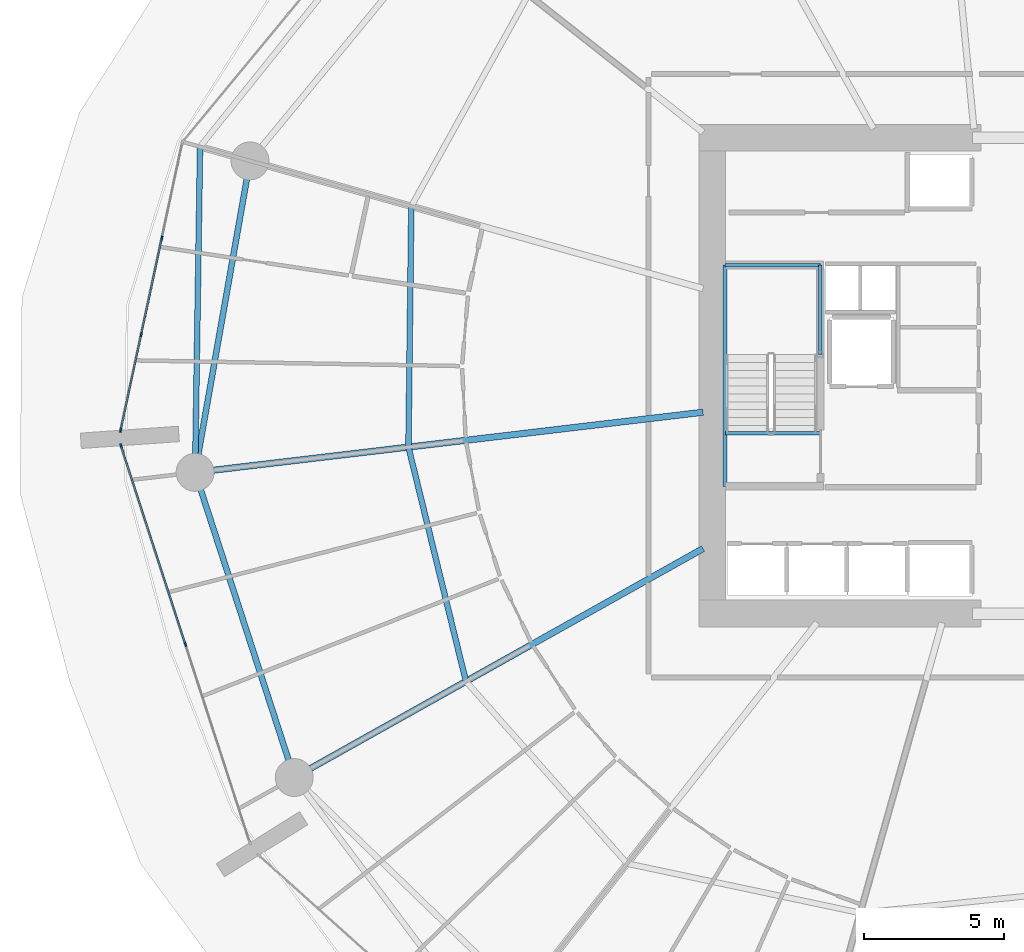
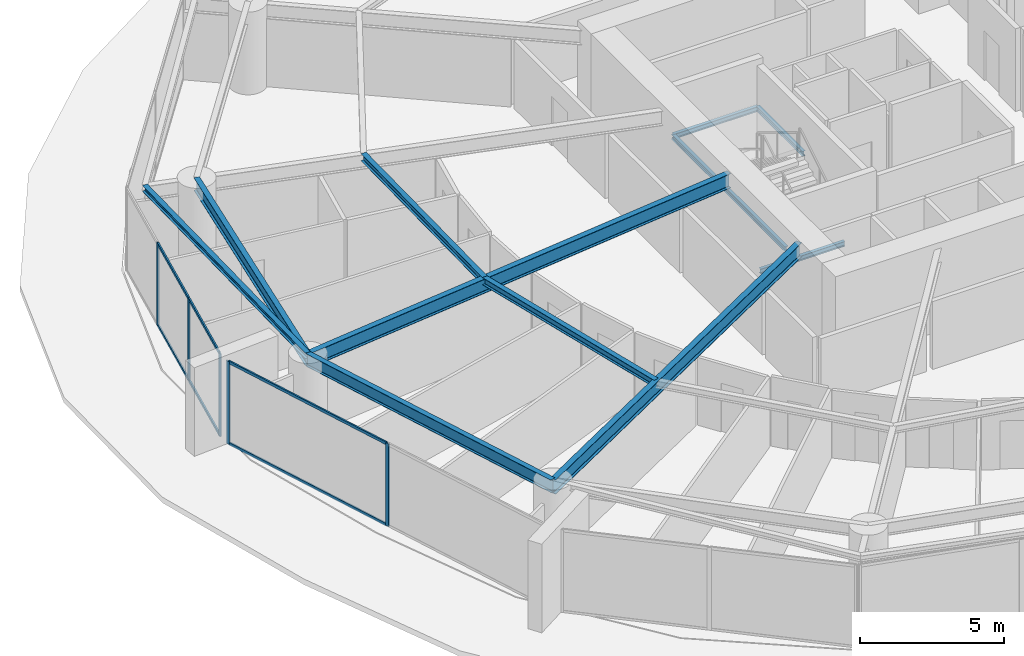
# One storey, part 7 of 22: 11 beams, 11 members, 2 elements without a shape of their own.
"""IFC4 building model written with IfcOpenShell, lengths in metres."""

from ifc_helpers import new_model, si_unit, direction, frame, origin, origin_2d, place, context, subcontext, project, spatial, rectangle, i_section, extrude, material, layer, layer_set, material_profile, profile_set, type_object, element, aggregate, save


model = new_model("IFC4")

# Units and contexts
model_context = context("Model", 3, precision=1e-05, world=origin(), true_north=direction((0.0, 1.0)))
body_context = subcontext(model_context, "Body", "Model", "MODEL_VIEW")
ifc_project = project(units=[si_unit("LENGTHUNIT", "METRE"), si_unit("AREAUNIT", "SQUARE_METRE"), si_unit("VOLUMEUNIT", "CUBIC_METRE"), si_unit("PLANEANGLEUNIT", "RADIAN"), si_unit("MASSUNIT", "GRAM", prefix="KILO")], contexts=[model_context])

# Site, building, storey
site_placement = place(None, origin())
site = spatial("IfcSite", under=ifc_project, at=site_placement, CompositionType="ELEMENT")
building_placement = place(site_placement, origin())
building = spatial("IfcBuilding", under=site, at=building_placement, Name="Kazma Halo Residences", CompositionType="ELEMENT")
storey_placement = place(building_placement, frame((0.0, 0.0, 26.39990234375)))
storey = spatial("IfcBuildingStorey", under=building, at=storey_placement, Name="L05", CompositionType="ELEMENT", Elevation=26.39990234375)

# Beams
ifc_material_1 = material(Name="Steel S355", Category="steel")
ifc_material_profile_1 = material_profile(ifc_material_1, i_section(OverallWidth=0.201904296875, OverallDepth=0.2470703125, WebThickness=0.00732421875, FlangeThickness=0.010986328125, FilletRadius=0.011962890625, at=origin_2d()), Name="W250x49.1")
ifc_profile_set_1 = profile_set([ifc_material_profile_1], Name="Steel S355")
beam_type_1 = type_object("IfcBeamType", Name="BM-BAL-CANT", PredefinedType="BEAM", material=ifc_profile_set_1)
beam_1_placement = place(storey_placement, frame((19.07861328125, 50.15673828125, 3.376708984375), z_axis=(-0.015213846033, -0.999884262747, 0.0), x_axis=(0.999884262747, -0.015213846033, 0.0)))
element("IfcBeam", 1, at=beam_1_placement, inside=storey, type_object=beam_type_1, Name="L05 wave-balcony tie beam 07", PredefinedType="BEAM", context=body_context, shape_type="SweptSolid", body=[
    extrude(i_section(OverallWidth=0.201904296875, OverallDepth=0.2470703125, WebThickness=0.00732421875, FlangeThickness=0.010986328125, FilletRadius=0.011962890625, at=origin_2d()), origin(), (0.0, 0.0, 1.0), 11.602294921875),
])
ifc_material_profile_2 = material_profile(ifc_material_1, i_section(OverallWidth=0.22802734375, OverallDepth=0.60791015625, WebThickness=0.01123046875, FlangeThickness=0.017333984375, FilletRadius=0.01806640625, at=origin_2d()), Name="W610x113")
ifc_profile_set_2 = profile_set([ifc_material_profile_2], Name="Steel S355")
beam_type_2 = type_object("IfcBeamType", Name="BM-RAD-W610", PredefinedType="BEAM", material=ifc_profile_set_2)
beam_2_placement = place(storey_placement, frame((37.0, 40.697998046875, 3.196044921875), z_axis=(-0.993068058728, -0.117540762013, 0.0), x_axis=(0.117540762013, -0.993068058728, 0.0)))
element("IfcBeam", 2, at=beam_2_placement, inside=storey, type_object=beam_type_2, Name="L05 radial floor beam 08", PredefinedType="BEAM", context=body_context, shape_type="SweptSolid", body=[
    extrude(i_section(OverallWidth=0.22802734375, OverallDepth=0.60791015625, WebThickness=0.01123046875, FlangeThickness=0.017333984375, FilletRadius=0.01806640625, at=origin_2d()), origin(), (0.0, 0.0, 1.0), 18.22412109375),
])
beam_3_placement = place(storey_placement, frame((37.0, 35.839599609375, 3.196044921875), z_axis=(-0.872496538947, -0.488620291767, 0.0), x_axis=(0.488620291767, -0.872496538947, 0.0)))
element("IfcBeam", 3, at=beam_3_placement, inside=storey, type_object=beam_type_2, Name="L05 radial floor beam 09", PredefinedType="BEAM", context=body_context, shape_type="SweptSolid", body=[
    extrude(i_section(OverallWidth=0.22802734375, OverallDepth=0.60791015625, WebThickness=0.01123046875, FlangeThickness=0.017333984375, FilletRadius=0.01806640625, at=origin_2d()), origin(), (0.0, 0.0, 1.0), 16.693359375),
])
ifc_material_profile_3 = material_profile(ifc_material_1, i_section(OverallWidth=0.202880859375, OverallDepth=0.302978515625, WebThickness=0.007568359375, FlangeThickness=0.01318359375, FilletRadius=0.013916015625, at=origin_2d()), Name="W310x60")
ifc_profile_set_3 = profile_set([ifc_material_profile_3], Name="Steel S355")
beam_type_3 = type_object("IfcBeamType", Name="BM-SEC-W310A", PredefinedType="JOIST", material=ifc_profile_set_3)
beam_4_placement = place(storey_placement, frame((26.605712890625, 48.033935546875, 3.3486328125), z_axis=(-0.011952697998, -0.999928563954, 0.0), x_axis=(0.999928563954, -0.011952697998, 0.0)))
element("IfcBeam", 4, at=beam_4_placement, inside=storey, type_object=beam_type_3, Name="L05 circumferential floor joist 07", PredefinedType="JOIST", context=body_context, shape_type="SweptSolid", body=[
    extrude(i_section(OverallWidth=0.202880859375, OverallDepth=0.302978515625, WebThickness=0.007568359375, FlangeThickness=0.01318359375, FilletRadius=0.013916015625, at=origin_2d()), origin(), (0.0, 0.0, 1.0), 8.578857421875),
])
beam_5_placement = place(storey_placement, frame((26.503173828125, 39.455810546875, 3.3486328125), z_axis=(0.238409585139, -0.971164697523, 0.0), x_axis=(0.971164697523, 0.238409585139, 0.0)))
element("IfcBeam", 5, at=beam_5_placement, inside=storey, type_object=beam_type_3, Name="L05 circumferential floor joist 08", PredefinedType="JOIST", context=body_context, shape_type="SweptSolid", body=[
    extrude(i_section(OverallWidth=0.202880859375, OverallDepth=0.302978515625, WebThickness=0.007568359375, FlangeThickness=0.01318359375, FilletRadius=0.013916015625, at=origin_2d()), origin(), (0.0, 0.0, 1.0), 8.5947265625),
])
ifc_material_profile_4 = material_profile(ifc_material_1, i_section(OverallWidth=0.208984375, OverallDepth=0.532958984375, WebThickness=0.01025390625, FlangeThickness=0.015625, FilletRadius=0.01611328125, at=origin_2d()), Name="W530x92")
ifc_profile_set_4 = profile_set([ifc_material_profile_4], Name="Steel S355")
beam_type_4 = type_object("IfcBeamType", Name="BM-SPN-W530", PredefinedType="BEAM", material=ifc_profile_set_4)
beam_6_placement = place(storey_placement, frame((20.859130859375, 49.654541015625, 3.233642578125), z_axis=(-0.173651864005, -0.984807103004, 0.0), x_axis=(0.984807103004, -0.173651864005, 0.0)))
element("IfcBeam", 6, at=beam_6_placement, inside=storey, type_object=beam_type_4, Name="L05 perimeter ring beam 07", PredefinedType="BEAM", context=body_context, shape_type="SweptSolid", body=[
    extrude(i_section(OverallWidth=0.208984375, OverallDepth=0.532958984375, WebThickness=0.01025390625, FlangeThickness=0.015625, FilletRadius=0.01611328125, at=origin_2d()), origin(), (0.0, 0.0, 1.0), 11.269775390625),
])
beam_7_placement = place(storey_placement, frame((18.902099609375, 38.555908203125, 3.233642578125), z_axis=(0.309024264898, -0.951054153928, 0.0), x_axis=(0.951054153928, 0.309024264898, 0.0)))
element("IfcBeam", 7, at=beam_7_placement, inside=storey, type_object=beam_type_4, Name="L05 perimeter ring beam 08", PredefinedType="BEAM", context=body_context, shape_type="SweptSolid", body=[
    extrude(i_section(OverallWidth=0.208984375, OverallDepth=0.532958984375, WebThickness=0.01025390625, FlangeThickness=0.015625, FilletRadius=0.01611328125, at=origin_2d()), origin(), (0.0, 0.0, 1.0), 11.4326171875),
])
ifc_material_profile_5 = material_profile(ifc_material_1, i_section(OverallWidth=0.133056640625, OverallDepth=0.20703125, WebThickness=0.005859375, FlangeThickness=0.00830078125, FilletRadius=0.010009765625, at=origin_2d()), Name="W200x26.6")
ifc_profile_set_5 = profile_set([ifc_material_profile_5], Name="Steel S355")
beam_type_5 = type_object("IfcBeamType", Name="BM-TRIM-W200", PredefinedType="BEAM", material=ifc_profile_set_5)
beam_8_placement = place(storey_placement, frame((37.800048828125, 39.949951171875, -0.510009765625), z_axis=(1.0, 0.0, 0.0), x_axis=(0.0, 1.0, 0.0)))
element("IfcBeam", 8, at=beam_8_placement, inside=storey, type_object=beam_type_5, Name="L05 ST-01 floor landing support beam", PredefinedType="BEAM", context=body_context, shape_type="SweptSolid", body=[
    extrude(i_section(OverallWidth=0.133056640625, OverallDepth=0.20703125, WebThickness=0.005859375, FlangeThickness=0.00830078125, FilletRadius=0.010009765625, at=origin_2d()), origin(), (0.0, 0.0, 1.0), 3.3798828125),
])
beam_9_placement = place(storey_placement, frame((37.780029296875, 38.06005859375, 1.570068359375), z_axis=(0.0, 1.0, 0.0), x_axis=(-1.0, 0.0, 0.0)))
element("IfcBeam", 9, at=beam_9_placement, inside=storey, type_object=beam_type_5, Name="L05 ST-01 landing west wall ledger", PredefinedType="BEAM", context=body_context, shape_type="SweptSolid", body=[
    extrude(i_section(OverallWidth=0.133056640625, OverallDepth=0.20703125, WebThickness=0.005859375, FlangeThickness=0.00830078125, FilletRadius=0.010009765625, at=origin_2d()), origin(), (0.0, 0.0, 1.0), 7.8798828125),
])
beam_10_placement = place(storey_placement, frame((41.179931640625, 42.75, 1.570068359375), z_axis=(0.0, 1.0, 0.0), x_axis=(-1.0, 0.0, 0.0)))
element("IfcBeam", 10, at=beam_10_placement, inside=storey, type_object=beam_type_5, Name="L05 ST-01 landing east wall ledger", PredefinedType="BEAM", context=body_context, shape_type="SweptSolid", body=[
    extrude(i_section(OverallWidth=0.133056640625, OverallDepth=0.20703125, WebThickness=0.005859375, FlangeThickness=0.00830078125, FilletRadius=0.010009765625, at=origin_2d()), origin(), (0.0, 0.0, 1.0), 3.18994140625),
])
beam_11_placement = place(storey_placement, frame((37.780029296875, 45.93994140625, 1.570068359375), z_axis=(1.0, 0.0, 0.0), x_axis=(0.0, 1.0, 0.0)))
element("IfcBeam", 11, at=beam_11_placement, inside=storey, type_object=beam_type_5, Name="L05 ST-01 landing end wall ledger", PredefinedType="BEAM", context=body_context, shape_type="SweptSolid", body=[
    extrude(i_section(OverallWidth=0.133056640625, OverallDepth=0.20703125, WebThickness=0.005859375, FlangeThickness=0.00830078125, FilletRadius=0.010009765625, at=origin_2d()), origin(), (0.0, 0.0, 1.0), 3.39990234375),
])

# Curtain wall, members
ifc_material_2 = material(Name="Aluminium AW-6063 T6 and Triple-Silver Low-E Glass", Category="aluminium")
ifc_layer = layer(ifc_material_2, 0.159912109375)
ifc_layer_set = layer_set([ifc_layer], Name="Aluminium AW-6063 T6 and Triple-Silver Low-E Glass")
curtain_wall_type = type_object("IfcCurtainWallType", Name="CW-SYS-2", PredefinedType="NOTDEFINED", material=ifc_layer_set)
curtain_wall_1_placement = place(storey_placement, origin())
curtain_wall_1 = element("IfcCurtainWall", 12, at=curtain_wall_1_placement, inside=storey, type_object=curtain_wall_type, Name="L05 unitised curtain wall B07", PredefinedType="NOTDEFINED")
ifc_material_3 = material(Name="Aluminium AW-6063 T6", Category="aluminium")
ifc_material_profile_6 = material_profile(ifc_material_3, rectangle(XDim=0.06005859375, YDim=0.159912109375, at=origin_2d()), Name="CWM-60x160")
ifc_profile_set_6 = profile_set([ifc_material_profile_6], Name="Aluminium AW-6063 T6")
member_type_1 = type_object("IfcMemberType", Name="CW-SYS-2-MUL", PredefinedType="MULLION", material=ifc_profile_set_6)
member_1_placement = place(storey_placement, frame((17.717041015625, 46.898681640625, 0.0), z_axis=(0.0, 0.0, 1.0), x_axis=(0.977779215096, -0.209637321406, 0.0)))
member_1 = element("IfcMember", 13, at=member_1_placement, type_object=member_type_1, Name="CWS-2 mullion 2", PredefinedType="MULLION", context=body_context, shape_type="SweptSolid", body=[
    extrude(rectangle(XDim=0.06005859375, YDim=0.159912109375, at=origin_2d()), origin(), (0.0, 0.0, 1.0), 3.5),
])
member_2_placement = place(storey_placement, frame((16.980712890625, 43.46435546875, 0.0), z_axis=(0.0, 0.0, 1.0), x_axis=(0.977779215096, -0.209637321406, 0.0)))
member_2 = element("IfcMember", 14, at=member_2_placement, type_object=member_type_1, Name="CWS-2 mullion 3", PredefinedType="MULLION", context=body_context, shape_type="SweptSolid", body=[
    extrude(rectangle(XDim=0.06005859375, YDim=0.159912109375, at=origin_2d()), origin(), (0.0, 0.0, 1.0), 3.5),
])
member_3_placement = place(storey_placement, frame((16.25048828125, 40.059326171875, 0.0), z_axis=(0.0, 0.0, 1.0), x_axis=(0.977779215096, -0.209637321406, 0.0)))
member_3 = element("IfcMember", 15, at=member_3_placement, type_object=member_type_1, Name="CWS-2 mullion 4", PredefinedType="MULLION", context=body_context, shape_type="SweptSolid", body=[
    extrude(rectangle(XDim=0.06005859375, YDim=0.159912109375, at=origin_2d()), origin(), (0.0, 0.0, 1.0), 3.5),
])

curtain_wall_2_placement = place(storey_placement, origin())
curtain_wall_2 = element("IfcCurtainWall", 16, at=curtain_wall_2_placement, inside=storey, type_object=curtain_wall_type, Name="L05 unitised curtain wall B08", PredefinedType="NOTDEFINED")
member_4_placement = place(storey_placement, frame((16.26171875, 39.500732421875, 0.0), z_axis=(0.0, 0.0, 1.0), x_axis=(0.95105652404, 0.309016970539, 0.0)))
member_4 = element("IfcMember", 17, at=member_4_placement, type_object=member_type_1, Name="CWS-2 mullion 1", PredefinedType="MULLION", context=body_context, shape_type="SweptSolid", body=[
    extrude(rectangle(XDim=0.06005859375, YDim=0.159912109375, at=origin_2d()), origin(), (0.0, 0.0, 1.0), 3.5),
])
member_5_placement = place(storey_placement, frame((18.55810546875, 32.43359375, 0.0), z_axis=(0.0, 0.0, 1.0), x_axis=(0.95105652404, 0.309016970539, 0.0)))
member_5 = element("IfcMember", 18, at=member_5_placement, type_object=member_type_1, Name="CWS-2 mullion 2", PredefinedType="MULLION", context=body_context, shape_type="SweptSolid", body=[
    extrude(rectangle(XDim=0.06005859375, YDim=0.159912109375, at=origin_2d()), origin(), (0.0, 0.0, 1.0), 3.5),
])

# Member
ifc_material_profile_7 = material_profile(ifc_material_3, rectangle(XDim=0.06005859375, YDim=0.1201171875, at=origin_2d()), Name="CWT-60x120")
ifc_profile_set_7 = profile_set([ifc_material_profile_7], Name="Aluminium AW-6063 T6")
member_type_2 = type_object("IfcMemberType", Name="CW-SYS-2-TRN", PredefinedType="USERDEFINED", material=ifc_profile_set_7)
member_6_placement = place(storey_placement, frame((17.710693359375, 46.869384765625, 0.030029296875), z_axis=(-0.209669136217, -0.977772393412, 0.0), x_axis=(0.977772393412, -0.209669136217, 0.0)))
member_6 = element("IfcMember", 19, at=member_6_placement, type_object=member_type_2, Name="CWS-2 transom 2.1", ObjectType="TRANSOM", PredefinedType="USERDEFINED", context=body_context, shape_type="SweptSolid", body=[
    extrude(rectangle(XDim=0.06005859375, YDim=0.1201171875, at=origin_2d()), origin(), (0.0, 0.0, 1.0), 3.452392578125),
])

member_7_placement = place(storey_placement, frame((17.710693359375, 46.869384765625, 3.47021484375), z_axis=(-0.209669136217, -0.977772393412, 0.0), x_axis=(0.977772393412, -0.209669136217, 0.0)))
member_7 = element("IfcMember", 20, at=member_7_placement, type_object=member_type_2, Name="CWS-2 transom 2.2", ObjectType="TRANSOM", PredefinedType="USERDEFINED", context=body_context, shape_type="SweptSolid", body=[
    extrude(rectangle(XDim=0.06005859375, YDim=0.1201171875, at=origin_2d()), origin(), (0.0, 0.0, 1.0), 3.452392578125),
])

member_8_placement = place(storey_placement, frame((16.974365234375, 43.434814453125, 0.030029296875), z_axis=(-0.209665500897, -0.977773172946, 0.0), x_axis=(0.977773172946, -0.209665500897, 0.0)))
member_8 = element("IfcMember", 21, at=member_8_placement, type_object=member_type_2, Name="CWS-2 transom 3.1", ObjectType="TRANSOM", PredefinedType="USERDEFINED", context=body_context, shape_type="SweptSolid", body=[
    extrude(rectangle(XDim=0.06005859375, YDim=0.1201171875, at=origin_2d()), origin(), (0.0, 0.0, 1.0), 3.42236328125),
])

member_9_placement = place(storey_placement, frame((16.974365234375, 43.434814453125, 3.47021484375), z_axis=(-0.209665500897, -0.977773172946, 0.0), x_axis=(0.977773172946, -0.209665500897, 0.0)))
member_9 = element("IfcMember", 22, at=member_9_placement, type_object=member_type_2, Name="CWS-2 transom 3.2", ObjectType="TRANSOM", PredefinedType="USERDEFINED", context=body_context, shape_type="SweptSolid", body=[
    extrude(rectangle(XDim=0.06005859375, YDim=0.1201171875, at=origin_2d()), origin(), (0.0, 0.0, 1.0), 3.42236328125),
])

aggregate(curtain_wall_1, [member_1, member_2, member_3, member_6, member_7, member_8, member_9])

member_10_placement = place(storey_placement, frame((16.27099609375, 39.47216796875, 0.030029296875), z_axis=(0.309034393795, -0.951050862705, 0.0), x_axis=(0.951050862705, 0.309034393795, 0.0)))
member_10 = element("IfcMember", 23, at=member_10_placement, type_object=member_type_2, Name="CWS-2 transom 1.1", ObjectType="TRANSOM", PredefinedType="USERDEFINED", context=body_context, shape_type="SweptSolid", body=[
    extrude(rectangle(XDim=0.06005859375, YDim=0.1201171875, at=origin_2d()), origin(), (0.0, 0.0, 1.0), 7.370849609375),
])

member_11_placement = place(storey_placement, frame((16.27099609375, 39.47216796875, 3.47021484375), z_axis=(0.309034393795, -0.951050862705, 0.0), x_axis=(0.951050862705, 0.309034393795, 0.0)))
member_11 = element("IfcMember", 24, at=member_11_placement, type_object=member_type_2, Name="CWS-2 transom 1.2", ObjectType="TRANSOM", PredefinedType="USERDEFINED", context=body_context, shape_type="SweptSolid", body=[
    extrude(rectangle(XDim=0.06005859375, YDim=0.1201171875, at=origin_2d()), origin(), (0.0, 0.0, 1.0), 7.370849609375),
])

aggregate(curtain_wall_2, [member_4, member_5, member_10, member_11])

save(model, "model.ifc")
